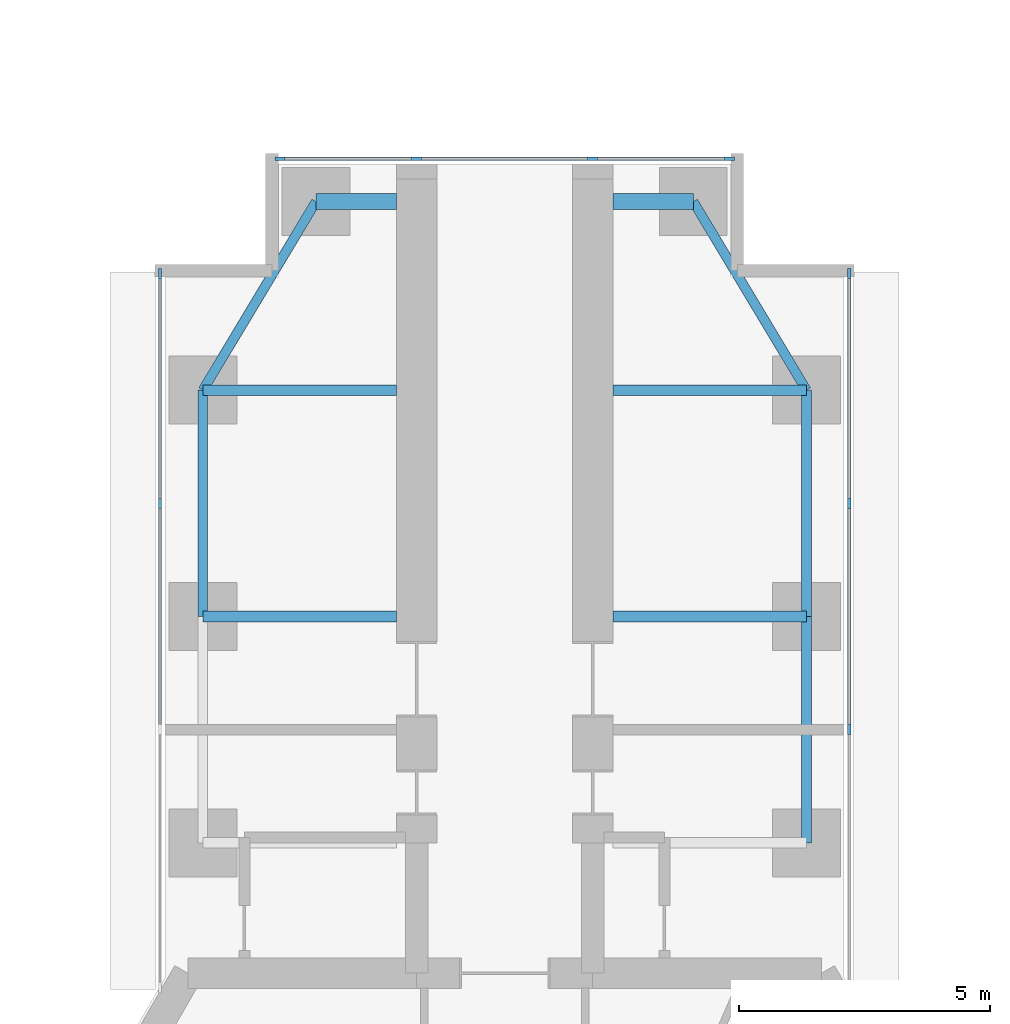
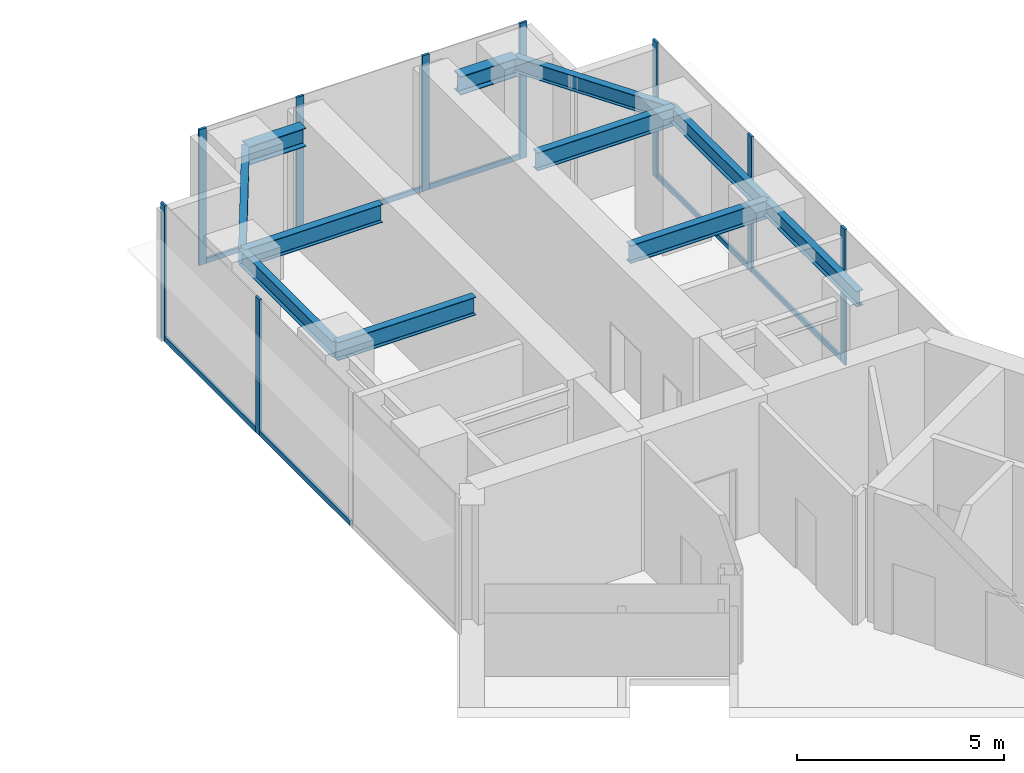
# One storey, part 12 of 21: 16 members, 11 beams, 3 elements without a shape of their own.
"""IFC4 building model written with IfcOpenShell, lengths in metres."""

from ifc_helpers import new_model, si_unit, direction, frame, origin, origin_2d, place, context, subcontext, project, spatial, rectangle, i_section, extrude, material, material_profile, profile_set, type_object, element, aggregate, save


model = new_model("IFC4")

# Units and contexts
model_context = context("Model", 3, precision=1e-05, world=origin(), true_north=direction((0.0, 1.0)))
body_context = subcontext(model_context, "Body", "Model", "MODEL_VIEW")
ifc_project = project(units=[si_unit("LENGTHUNIT", "METRE"), si_unit("AREAUNIT", "SQUARE_METRE"), si_unit("VOLUMEUNIT", "CUBIC_METRE"), si_unit("PLANEANGLEUNIT", "RADIAN"), si_unit("MASSUNIT", "GRAM", prefix="KILO")], contexts=[model_context])

# Site, building, storey
site_placement = place(None, origin())
site = spatial("IfcSite", under=ifc_project, at=site_placement, CompositionType="ELEMENT")
building_placement = place(site_placement, origin())
building = spatial("IfcBuilding", under=site, at=building_placement, Name="Upepo Twin Towers", CompositionType="ELEMENT")
storey_placement = place(building_placement, frame((0.0, 0.0, 101.5)))
storey = spatial("IfcBuildingStorey", under=building, at=storey_placement, Name="L24", CompositionType="ELEMENT", Elevation=101.5)

# Beams
ifc_material_1 = material(Name="Steel S355", Category="steel")
ifc_material_profile_1 = material_profile(ifc_material_1, i_section(OverallWidth=0.1904296875, OverallDepth=0.45703125, WebThickness=0.009033203125, FlangeThickness=0.014404296875, FilletRadius=0.01025390625, at=origin_2d()), Name="UB 457x191x74")
ifc_profile_set_1 = profile_set([ifc_material_profile_1], Name="Steel S355")
beam_type_1 = type_object("IfcBeamType", Name="Beam UB 457x191x74", PredefinedType="BEAM", material=ifc_profile_set_1)
beam_1_placement = place(storey_placement, frame((52.5, 0.0, 3.571533203125), z_axis=(0.0, 1.0, 0.0), x_axis=(-1.0, 0.0, 0.0)))
element("IfcBeam", 1, at=beam_1_placement, inside=storey, type_object=beam_type_1, Name="T2 edge beam AL 18.0-22.5", PredefinedType="BEAM", context=body_context, shape_type="SweptSolid", body=[
    extrude(i_section(OverallWidth=0.1904296875, OverallDepth=0.45703125, WebThickness=0.009033203125, FlangeThickness=0.014404296875, FilletRadius=0.01025390625, at=origin_2d()), origin(), (0.0, 0.0, 1.0), 4.5),
])
beam_2_placement = place(storey_placement, frame((52.5, 4.5, 3.571533203125), z_axis=(0.514495755428, 0.857492925713, 0.0), x_axis=(-0.857492925713, 0.514495755428, 0.0)))
element("IfcBeam", 2, at=beam_2_placement, inside=storey, type_object=beam_type_1, Name="T2 nose edge beam AL", PredefinedType="BEAM", context=body_context, shape_type="SweptSolid", body=[
    extrude(i_section(OverallWidth=0.1904296875, OverallDepth=0.45703125, WebThickness=0.009033203125, FlangeThickness=0.014404296875, FilletRadius=0.01025390625, at=origin_2d()), origin(), (0.0, 0.0, 1.0), 4.373291015625),
])
for number, where, z_axis, x_axis, name in (
    (3, (64.5, -4.5, 3.571533203125), (0.0, 1.0, 0.0), (-1.0, 0.0, 0.0), "T2 edge beam AR 13.5-18.0"),
    (4, (64.5, 0.0, 3.571533203125), (0.0, 1.0, 0.0), (-1.0, 0.0, 0.0), "T2 edge beam AR 18.0-22.5"),
):
    element("IfcBeam", number, at=place(storey_placement, frame(where, z_axis=z_axis, x_axis=x_axis)), inside=storey, type_object=beam_type_1, Name=name, PredefinedType="BEAM", context=body_context, shape_type="SweptSolid", body=[
        extrude(i_section(OverallWidth=0.1904296875, OverallDepth=0.45703125, WebThickness=0.009033203125, FlangeThickness=0.014404296875, FilletRadius=0.01025390625, at=origin_2d()), origin(), (0.0, 0.0, 1.0), 4.5),
    ])
beam_3_placement = place(storey_placement, frame((64.5, 4.5, 3.571533203125), z_axis=(-0.514495755428, 0.857492925713, 0.0), x_axis=(-0.857492925713, -0.514495755428, 0.0)))
element("IfcBeam", 5, at=beam_3_placement, inside=storey, type_object=beam_type_1, Name="T2 nose edge beam AR", PredefinedType="BEAM", context=body_context, shape_type="SweptSolid", body=[
    extrude(i_section(OverallWidth=0.1904296875, OverallDepth=0.45703125, WebThickness=0.009033203125, FlangeThickness=0.014404296875, FilletRadius=0.01025390625, at=origin_2d()), origin(), (0.0, 0.0, 1.0), 4.373291015625),
])
ifc_material_2 = material(Name="Steel S355", Category="steel")
ifc_material_profile_2 = material_profile(ifc_material_2, i_section(OverallWidth=0.209228515625, OverallDepth=0.533203125, WebThickness=0.010009765625, FlangeThickness=0.015625, FilletRadius=0.0126953125, at=origin_2d()), Name="UB 533x210x92")
ifc_profile_set_2 = profile_set([ifc_material_profile_2], Name="Steel S355")
beam_type_2 = type_object("IfcBeamType", Name="Beam UB 533x210x92", PredefinedType="BEAM", material=ifc_profile_set_2)
for number, where, z_axis, x_axis, name in (
    (6, (52.5, 0.0, 3.533447265625), (1.0, 0.0, 0.0), (0.0, 1.0, 0.0), "T2 girder AL at 18.0"),
    (7, (52.5, 4.5, 3.533447265625), (1.0, 0.0, 0.0), (0.0, 1.0, 0.0), "T2 girder AL at 22.5"),
    (8, (64.5, 0.0, 3.533447265625), (-1.0, 0.0, 0.0), (0.0, -1.0, 0.0), "T2 girder AR at 18.0"),
    (9, (64.5, 4.5, 3.533447265625), (-1.0, 0.0, 0.0), (0.0, -1.0, 0.0), "T2 girder AR at 22.5"),
):
    element("IfcBeam", number, at=place(storey_placement, frame(where, z_axis=z_axis, x_axis=x_axis)), inside=storey, type_object=beam_type_2, Name=name, PredefinedType="BEAM", context=body_context, shape_type="SweptSolid", body=[
        extrude(i_section(OverallWidth=0.209228515625, OverallDepth=0.533203125, WebThickness=0.010009765625, FlangeThickness=0.015625, FilletRadius=0.0126953125, at=origin_2d()), origin(), (0.0, 0.0, 1.0), 3.85009765625),
    ])
ifc_material_3 = material(Name="Steel S355", Category="steel")
ifc_material_profile_3 = material_profile(ifc_material_3, i_section(OverallWidth=0.31201171875, OverallDepth=0.54345703125, WebThickness=0.0126953125, FlangeThickness=0.020263671875, FilletRadius=0.0126953125, at=origin_2d()), Name="UB 533x312x150")
ifc_profile_set_3 = profile_set([ifc_material_profile_3], Name="Steel S355")
beam_type_3 = type_object("IfcBeamType", Name="Beam UB 533x312x150", PredefinedType="BEAM", material=ifc_profile_set_3)
for number, where, z_axis, x_axis, name in (
    (10, (54.75, 8.25, 3.5283203125), (1.0, 0.0, 0.0), (0.0, 1.0, 0.0), "T2 nose beam AL"),
    (11, (62.25, 8.25, 3.5283203125), (-1.0, 0.0, 0.0), (0.0, -1.0, 0.0), "T2 nose beam AR"),
):
    element("IfcBeam", number, at=place(storey_placement, frame(where, z_axis=z_axis, x_axis=x_axis)), inside=storey, type_object=beam_type_3, Name=name, PredefinedType="BEAM", context=body_context, shape_type="SweptSolid", body=[
        extrude(i_section(OverallWidth=0.31201171875, OverallDepth=0.54345703125, WebThickness=0.0126953125, FlangeThickness=0.020263671875, FilletRadius=0.0126953125, at=origin_2d()), origin(), (0.0, 0.0, 1.0), 1.60009765625),
    ])

# Curtain wall, members
ifc_material_4 = material(Name="Aluminium and fritted glass", Category="aluminium")
curtain_wall_type = type_object("IfcCurtainWallType", Name="Tower curtain wall TW2, fritted glass", PredefinedType="NOTDEFINED", material=ifc_material_4)
curtain_wall_1_placement = place(storey_placement, origin())
curtain_wall_1 = element("IfcCurtainWall", 12, at=curtain_wall_1_placement, inside=storey, type_object=curtain_wall_type, Name="T2 L24 wing A flank L curtain wall", PredefinedType="NOTDEFINED")
ifc_material_5 = material(Name="Aluminium mullion", Category="aluminium")
ifc_material_profile_4 = material_profile(ifc_material_5, rectangle(XDim=0.06494140625, YDim=0.199951171875, at=origin_2d()), Name="MULLION 65x200")
ifc_profile_set_4 = profile_set([ifc_material_profile_4], Name="Aluminium mullion")
member_type_1 = type_object("IfcMemberType", Name="Mullion 65x200 TW2", PredefinedType="MULLION", material=ifc_profile_set_4)
member_1_placement = place(storey_placement, frame((51.64990234375, 2.25, 0.0), z_axis=(0.0, 0.0, 1.0), x_axis=(-1.0, 0.0, 0.0)))
member_1 = element("IfcMember", 13, at=member_1_placement, type_object=member_type_1, Name="T2 L24 wing A flank L curtain wall mullion 3", PredefinedType="MULLION", context=body_context, shape_type="SweptSolid", body=[
    extrude(rectangle(XDim=0.06494140625, YDim=0.199951171875, at=origin_2d()), origin(), (0.0, 0.0, 1.0), 4.0),
])
member_2_placement = place(storey_placement, frame((51.64990234375, 6.8173828125, 0.0), z_axis=(0.0, 0.0, 1.0), x_axis=(-1.0, 0.0, 0.0)))
member_2 = element("IfcMember", 14, at=member_2_placement, type_object=member_type_1, Name="T2 L24 wing A flank L curtain wall mullion 4", PredefinedType="MULLION", context=body_context, shape_type="SweptSolid", body=[
    extrude(rectangle(XDim=0.06494140625, YDim=0.199951171875, at=origin_2d()), origin(), (0.0, 0.0, 1.0), 4.0),
])

curtain_wall_2_placement = place(storey_placement, origin())
curtain_wall_2 = element("IfcCurtainWall", 15, at=curtain_wall_2_placement, inside=storey, type_object=curtain_wall_type, Name="T2 L24 wing A flank R curtain wall", PredefinedType="NOTDEFINED")
member_3_placement = place(storey_placement, frame((65.35009765625, 6.8173828125, 0.0), z_axis=(0.0, 0.0, 1.0), x_axis=(1.0, 0.0, 0.0)))
member_3 = element("IfcMember", 16, at=member_3_placement, type_object=member_type_1, Name="T2 L24 wing A flank R curtain wall mullion 1", PredefinedType="MULLION", context=body_context, shape_type="SweptSolid", body=[
    extrude(rectangle(XDim=0.06494140625, YDim=0.199951171875, at=origin_2d()), origin(), (0.0, 0.0, 1.0), 4.0),
])
member_4_placement = place(storey_placement, frame((65.35009765625, 2.25, 0.0), z_axis=(0.0, 0.0, 1.0), x_axis=(1.0, 0.0, 0.0)))
member_4 = element("IfcMember", 17, at=member_4_placement, type_object=member_type_1, Name="T2 L24 wing A flank R curtain wall mullion 2", PredefinedType="MULLION", context=body_context, shape_type="SweptSolid", body=[
    extrude(rectangle(XDim=0.06494140625, YDim=0.199951171875, at=origin_2d()), origin(), (0.0, 0.0, 1.0), 4.0),
])
member_5_placement = place(storey_placement, frame((65.35009765625, -2.25, 0.0), z_axis=(0.0, 0.0, 1.0), x_axis=(1.0, 0.0, 0.0)))
member_5 = element("IfcMember", 18, at=member_5_placement, type_object=member_type_1, Name="T2 L24 wing A flank R curtain wall mullion 3", PredefinedType="MULLION", context=body_context, shape_type="SweptSolid", body=[
    extrude(rectangle(XDim=0.06494140625, YDim=0.199951171875, at=origin_2d()), origin(), (0.0, 0.0, 1.0), 4.0),
])

curtain_wall_3_placement = place(storey_placement, origin())
curtain_wall_3 = element("IfcCurtainWall", 19, at=curtain_wall_3_placement, inside=storey, type_object=curtain_wall_type, Name="T2 L24 wing A nose curtain wall", PredefinedType="NOTDEFINED")
member_6_placement = place(storey_placement, frame((62.967529296875, 9.10009765625, 0.0), z_axis=(0.0, 0.0, 1.0), x_axis=(0.0, -1.0, 0.0)))
member_6 = element("IfcMember", 20, at=member_6_placement, type_object=member_type_1, Name="T2 L24 wing A nose curtain wall mullion 1", PredefinedType="MULLION", context=body_context, shape_type="SweptSolid", body=[
    extrude(rectangle(XDim=0.06494140625, YDim=0.199951171875, at=origin_2d()), origin(), (0.0, 0.0, 1.0), 4.0),
])
member_7_placement = place(storey_placement, frame((60.25, 9.10009765625, 0.0), z_axis=(0.0, 0.0, 1.0), x_axis=(0.0, -1.0, 0.0)))
member_7 = element("IfcMember", 21, at=member_7_placement, type_object=member_type_1, Name="T2 L24 wing A nose curtain wall mullion 2", PredefinedType="MULLION", context=body_context, shape_type="SweptSolid", body=[
    extrude(rectangle(XDim=0.06494140625, YDim=0.199951171875, at=origin_2d()), origin(), (0.0, 0.0, 1.0), 4.0),
])
member_8_placement = place(storey_placement, frame((56.75, 9.10009765625, 0.0), z_axis=(0.0, 0.0, 1.0), x_axis=(0.0, -1.0, 0.0)))
member_8 = element("IfcMember", 22, at=member_8_placement, type_object=member_type_1, Name="T2 L24 wing A nose curtain wall mullion 3", PredefinedType="MULLION", context=body_context, shape_type="SweptSolid", body=[
    extrude(rectangle(XDim=0.06494140625, YDim=0.199951171875, at=origin_2d()), origin(), (0.0, 0.0, 1.0), 4.0),
])
member_9_placement = place(storey_placement, frame((54.032470703125, 9.10009765625, 0.0), z_axis=(0.0, 0.0, 1.0), x_axis=(0.0, -1.0, 0.0)))
member_9 = element("IfcMember", 23, at=member_9_placement, type_object=member_type_1, Name="T2 L24 wing A nose curtain wall mullion 4", PredefinedType="MULLION", context=body_context, shape_type="SweptSolid", body=[
    extrude(rectangle(XDim=0.06494140625, YDim=0.199951171875, at=origin_2d()), origin(), (0.0, 0.0, 1.0), 4.0),
])

# Member
ifc_material_6 = material(Name="Aluminium transom", Category="aluminium")
ifc_material_profile_5 = material_profile(ifc_material_6, rectangle(XDim=0.06494140625, YDim=0.14990234375, at=origin_2d()), Name="TRANSOM 65x150")
ifc_profile_set_5 = profile_set([ifc_material_profile_5], Name="Aluminium transom")
member_type_2 = type_object("IfcMemberType", Name="Transom 65x150 TW2", PredefinedType="USERDEFINED", material=ifc_profile_set_5)
member_10_placement = place(storey_placement, frame((51.64990234375, -2.217529296875, 0.074951171875), z_axis=(0.0, 1.0, 0.0), x_axis=(-1.0, 0.0, 0.0)))
member_10 = element("IfcMember", 24, at=member_10_placement, type_object=member_type_2, Name="T2 L24 wing A flank L curtain wall transom 2", ObjectType="TRANSOM", PredefinedType="USERDEFINED", context=body_context, shape_type="SweptSolid", body=[
    extrude(rectangle(XDim=0.06494140625, YDim=0.14990234375, at=origin_2d()), origin(), (0.0, 0.0, 1.0), 4.43505859375),
])

member_11_placement = place(storey_placement, frame((51.64990234375, 2.282470703125, 0.074951171875), z_axis=(0.0, 1.0, 0.0), x_axis=(-1.0, 0.0, 0.0)))
member_11 = element("IfcMember", 25, at=member_11_placement, type_object=member_type_2, Name="T2 L24 wing A flank L curtain wall transom 3", ObjectType="TRANSOM", PredefinedType="USERDEFINED", context=body_context, shape_type="SweptSolid", body=[
    extrude(rectangle(XDim=0.06494140625, YDim=0.14990234375, at=origin_2d()), origin(), (0.0, 0.0, 1.0), 4.50244140625),
])

aggregate(curtain_wall_1, [member_1, member_2, member_10, member_11])

member_12_placement = place(storey_placement, frame((65.35009765625, 6.784912109375, 0.074951171875), z_axis=(0.0, -1.0, 0.0), x_axis=(1.0, 0.0, 0.0)))
member_12 = element("IfcMember", 26, at=member_12_placement, type_object=member_type_2, Name="T2 L24 wing A flank R curtain wall transom 1", ObjectType="TRANSOM", PredefinedType="USERDEFINED", context=body_context, shape_type="SweptSolid", body=[
    extrude(rectangle(XDim=0.06494140625, YDim=0.14990234375, at=origin_2d()), origin(), (0.0, 0.0, 1.0), 4.50244140625),
])

member_13_placement = place(storey_placement, frame((65.35009765625, 2.217529296875, 0.074951171875), z_axis=(0.0, -1.0, 0.0), x_axis=(1.0, 0.0, 0.0)))
member_13 = element("IfcMember", 27, at=member_13_placement, type_object=member_type_2, Name="T2 L24 wing A flank R curtain wall transom 2", ObjectType="TRANSOM", PredefinedType="USERDEFINED", context=body_context, shape_type="SweptSolid", body=[
    extrude(rectangle(XDim=0.06494140625, YDim=0.14990234375, at=origin_2d()), origin(), (0.0, 0.0, 1.0), 4.43505859375),
])

aggregate(curtain_wall_2, [member_3, member_4, member_5, member_12, member_13])

member_14_placement = place(storey_placement, frame((62.93505859375, 9.10009765625, 0.074951171875), z_axis=(-1.0, 0.0, 0.0), x_axis=(0.0, -1.0, 0.0)))
member_14 = element("IfcMember", 28, at=member_14_placement, type_object=member_type_2, Name="T2 L24 wing A nose curtain wall transom 1", ObjectType="TRANSOM", PredefinedType="USERDEFINED", context=body_context, shape_type="SweptSolid", body=[
    extrude(rectangle(XDim=0.06494140625, YDim=0.14990234375, at=origin_2d()), origin(), (0.0, 0.0, 1.0), 2.652587890625),
])

member_15_placement = place(storey_placement, frame((60.217529296875, 9.10009765625, 0.074951171875), z_axis=(-1.0, 0.0, 0.0), x_axis=(0.0, -1.0, 0.0)))
member_15 = element("IfcMember", 29, at=member_15_placement, type_object=member_type_2, Name="T2 L24 wing A nose curtain wall transom 2", ObjectType="TRANSOM", PredefinedType="USERDEFINED", context=body_context, shape_type="SweptSolid", body=[
    extrude(rectangle(XDim=0.06494140625, YDim=0.14990234375, at=origin_2d()), origin(), (0.0, 0.0, 1.0), 3.43505859375),
])

member_16_placement = place(storey_placement, frame((56.717529296875, 9.10009765625, 0.074951171875), z_axis=(-1.0, 0.0, 0.0), x_axis=(0.0, -1.0, 0.0)))
member_16 = element("IfcMember", 30, at=member_16_placement, type_object=member_type_2, Name="T2 L24 wing A nose curtain wall transom 3", ObjectType="TRANSOM", PredefinedType="USERDEFINED", context=body_context, shape_type="SweptSolid", body=[
    extrude(rectangle(XDim=0.06494140625, YDim=0.14990234375, at=origin_2d()), origin(), (0.0, 0.0, 1.0), 2.652587890625),
])

aggregate(curtain_wall_3, [member_6, member_7, member_8, member_9, member_14, member_15, member_16])

save(model, "model.ifc")
